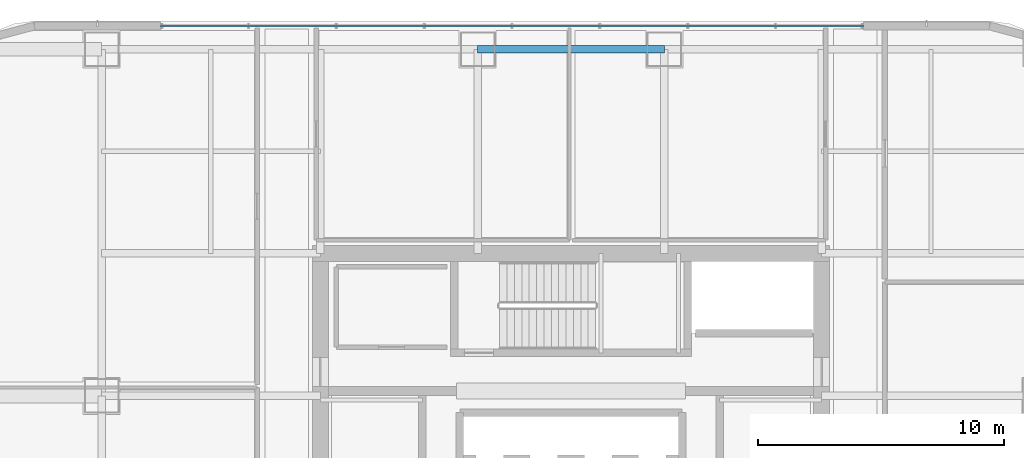
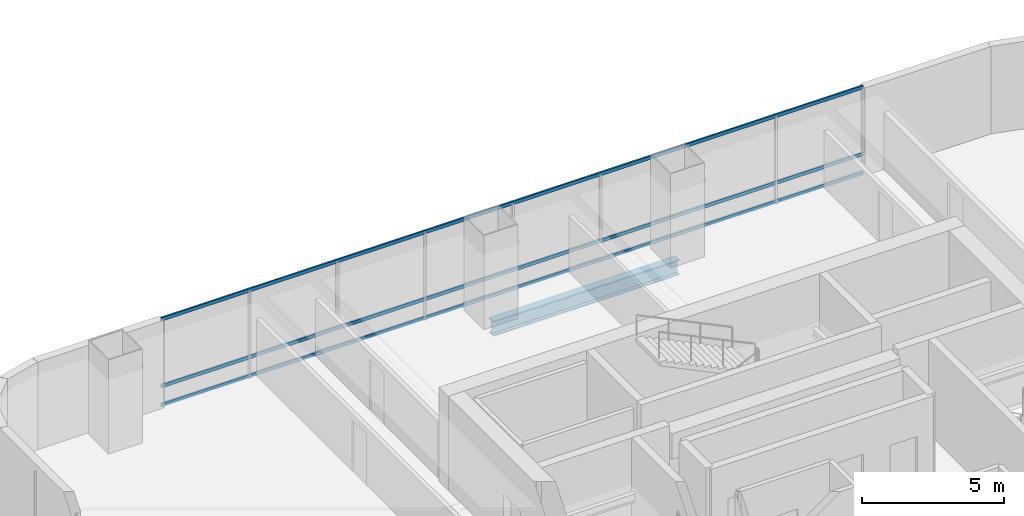
# One storey, part 24 of 46: 3 members, 1 beam, 1 element without a shape of its own.
"""IFC4 building model written with IfcOpenShell, lengths in metres."""

from ifc_helpers import new_model, si_unit, direction, frame, origin, origin_2d, place, context, subcontext, project, spatial, hollow_rectangle, i_section, extrude, material, material_profile, profile_set, type_object, element, aggregate, save


model = new_model("IFC4")

# Units and contexts
model_context = context("Model", 3, precision=1e-05, world=origin(), true_north=direction((0.0, 1.0)))
body_context = subcontext(model_context, "Body", "Model", "MODEL_VIEW")
ifc_project = project(units=[si_unit("LENGTHUNIT", "METRE"), si_unit("AREAUNIT", "SQUARE_METRE"), si_unit("VOLUMEUNIT", "CUBIC_METRE"), si_unit("PLANEANGLEUNIT", "RADIAN"), si_unit("MASSUNIT", "GRAM", prefix="KILO")], contexts=[model_context])

# Site, building, storey
site_placement = place(None, origin())
site = spatial("IfcSite", under=ifc_project, at=site_placement, CompositionType="ELEMENT")
building_placement = place(site_placement, origin())
building = spatial("IfcBuilding", under=site, at=building_placement, Name="Punatoya Terracotta Tower", CompositionType="ELEMENT")
storey_placement = place(building_placement, frame((0.0, 0.0, 200.550048828125)))
storey = spatial("IfcBuildingStorey", under=building, at=storey_placement, Name="L47", CompositionType="ELEMENT", Elevation=200.550048828125)

# Beam
ifc_material_1 = material(Name="Steel S355", Category="steel")
ifc_material_profile_1 = material_profile(ifc_material_1, i_section(OverallWidth=0.300048828125, OverallDepth=0.64990234375, WebThickness=0.01611328125, FlangeThickness=0.031005859375, FilletRadius=0.01806640625, at=origin_2d()))
ifc_profile_set_1 = profile_set([ifc_material_profile_1], Name="Steel S355")
beam_type = type_object("IfcBeamType", Name="BM-PRI-650", PredefinedType="BEAM", material=ifc_profile_set_1)
beam_placement = place(storey_placement, frame((-3.800048828125, 17.5, -0.545166015625), z_axis=(1.0, 0.0, 0.0), x_axis=(0.0, 1.0, 0.0)))
element("IfcBeam", 1, at=beam_placement, inside=storey, type_object=beam_type, Name="BM-L47-RG-N2", PredefinedType="BEAM", context=body_context, shape_type="SweptSolid", body=[
    extrude(i_section(OverallWidth=0.300048828125, OverallDepth=0.64990234375, WebThickness=0.01611328125, FlangeThickness=0.031005859375, FilletRadius=0.01806640625, at=origin_2d()), origin(), (0.0, 0.0, 1.0), 7.60009765625),
])

# Curtain wall, members
ifc_material_2 = material(Name="Aluminium 6063-T6 + Double Low-E Glass", Category="aluminium")
curtain_wall_type = type_object("IfcCurtainWallType", Name="CW-M2", PredefinedType="NOTDEFINED", material=ifc_material_2)
curtain_wall_placement = place(storey_placement, origin())
curtain_wall = element("IfcCurtainWall", 2, at=curtain_wall_placement, inside=storey, type_object=curtain_wall_type, Name="L47 Curtain Wall CW-L47-N09-1", PredefinedType="NOTDEFINED")
ifc_material_3 = material(Name="Aluminium 6063-T6", Category="aluminium")
ifc_material_profile_2 = material_profile(ifc_material_3, hollow_rectangle(XDim=0.068115234375, YDim=0.14990234375, WallThickness=0.00390625, at=origin_2d()))
ifc_profile_set_2 = profile_set([ifc_material_profile_2], Name="Aluminium 6063-T6")
member_type = type_object("IfcMemberType", Name="CW-TRN-TYP", PredefinedType="USERDEFINED", material=ifc_profile_set_2)
member_1_placement = place(storey_placement, frame((11.89990234375, 18.449951171875, 0.0400390625), z_axis=(-1.0, 0.0, 0.0), x_axis=(0.0, -1.0, 0.0)))
member_1 = element("IfcMember", 3, at=member_1_placement, type_object=member_type, Name="CW-L47-N09-1 Transom 1", ObjectType="TRANSOM", PredefinedType="USERDEFINED", context=body_context, shape_type="SweptSolid", body=[
    extrude(hollow_rectangle(XDim=0.068115234375, YDim=0.14990234375, WallThickness=0.00390625, at=origin_2d()), origin(), (0.0, 0.0, 1.0), 28.599853515625),
])
member_2_placement = place(storey_placement, frame((11.89990234375, 18.449951171875, 0.849853515625), z_axis=(-1.0, 0.0, 0.0), x_axis=(0.0, -1.0, 0.0)))
member_2 = element("IfcMember", 4, at=member_2_placement, type_object=member_type, Name="CW-L47-N09-1 Transom 2", ObjectType="TRANSOM", PredefinedType="USERDEFINED", context=body_context, shape_type="SweptSolid", body=[
    extrude(hollow_rectangle(XDim=0.068115234375, YDim=0.14990234375, WallThickness=0.00390625, at=origin_2d()), origin(), (0.0, 0.0, 1.0), 28.599853515625),
])
member_3_placement = place(storey_placement, frame((11.89990234375, 18.449951171875, 3.72998046875), z_axis=(-1.0, 0.0, 0.0), x_axis=(0.0, -1.0, 0.0)))
member_3 = element("IfcMember", 5, at=member_3_placement, type_object=member_type, Name="CW-L47-N09-1 Transom 3", ObjectType="TRANSOM", PredefinedType="USERDEFINED", context=body_context, shape_type="SweptSolid", body=[
    extrude(hollow_rectangle(XDim=0.068115234375, YDim=0.14990234375, WallThickness=0.00390625, at=origin_2d()), origin(), (0.0, 0.0, 1.0), 28.599853515625),
])
aggregate(curtain_wall, [member_1, member_2, member_3])

save(model, "model.ifc")
